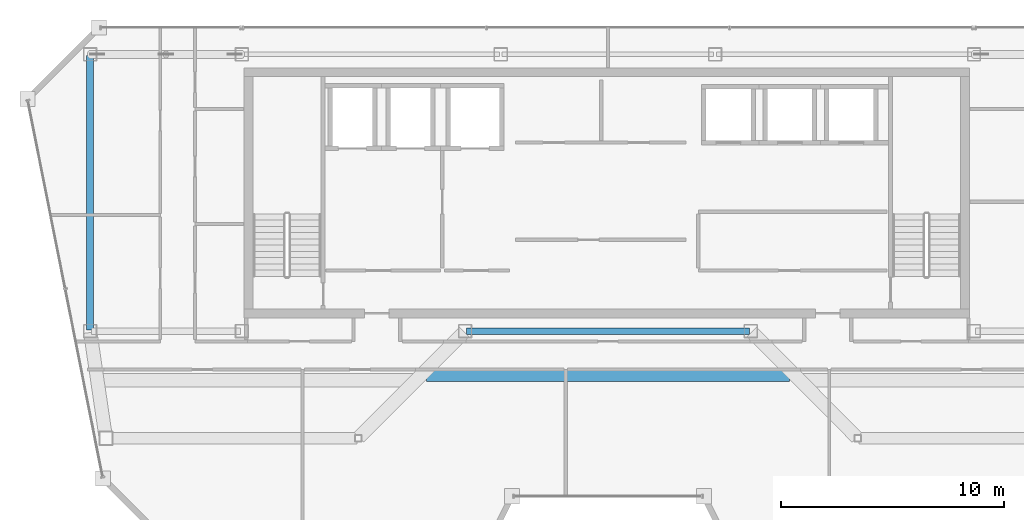
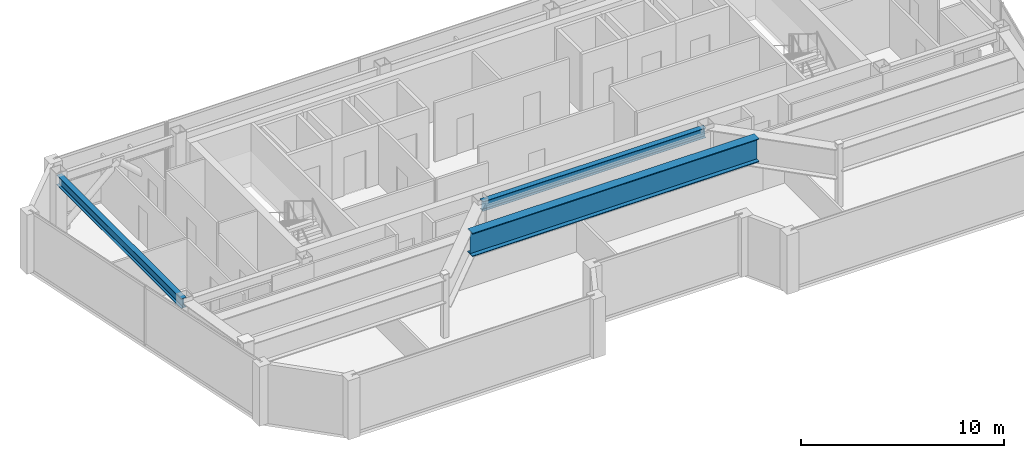
# One storey, part 8 of 24: 3 beams.
"""IFC4 building model written with IfcOpenShell, lengths in metres."""

import ifcopenshell
import ifcopenshell.guid

model = None  # the IFC model being written
_history = None  # IfcOwnerHistory: only IFC2X3 demands one
_inside = {}  # id of a spatial element -> (the spatial element, [elements in it])
_under = {}  # id of a project, library or spatial element -> (it, [spatial elements below it])
_declared = {}  # id of a project -> (the project, [libraries it declares])
_typed = {}  # id of a type object -> (the type object, [elements of that type])
_made_of = {}  # id of a material, layer set ... -> (it, [elements and type objects made of it])


def new_model(schema):
    """Start an empty IFC model of exactly this schema.

    Asked for "IFC4X3", IfcOpenShell would pick the latest addendum, in which some entities
    have other attributes; the version numbers below select the first issue.
    IFC2X3 requires an IfcOwnerHistory on every rooted entity: one is made here for all.
    """
    global model, _history
    if schema == "IFC4X3":
        model = ifcopenshell.file(schema_version=(4, 3, 0, 0))
    else:
        model = ifcopenshell.file(schema=schema)
    _inside.clear()
    _under.clear()
    _declared.clear()
    _typed.clear()
    _made_of.clear()
    _history = None
    if model.schema == "IFC2X3":
        org = make("IfcOrganization", Name="unknown")
        user = make(
            "IfcPersonAndOrganization",
            ThePerson=make("IfcPerson", FamilyName="unknown"),
            TheOrganization=org,
        )
        app = make(
            "IfcApplication",
            ApplicationDeveloper=org,
            Version="unknown",
            ApplicationFullName="unknown",
            ApplicationIdentifier="unknown",
        )
        _history = make(
            "IfcOwnerHistory",
            OwningUser=user,
            OwningApplication=app,
            ChangeAction="ADDED",
            CreationDate=0,
        )
    return model


def make(cls, **values):
    """One entity of the class cls with the attributes given. An attribute that is None is left unset."""
    return model.create_entity(
        cls, **{name: value for name, value in values.items() if value is not None}
    )


def rooted(cls, **values):
    """An entity with a GlobalId (a new one), such as an element, a storey or a relation."""
    return make(cls, GlobalId=ifcopenshell.guid.new(), OwnerHistory=_history, **values)


def si_unit(unit_type, name, prefix=None):
    """IfcSIUnit, for example si_unit("LENGTHUNIT", "METRE", prefix="MILLI")."""
    return make("IfcSIUnit", UnitType=unit_type, Prefix=prefix, Name=name)


def assignment(units):
    """IfcUnitAssignment: the units of a project."""
    return None if units is None else make("IfcUnitAssignment", Units=units)


def point(xyz):
    """IfcCartesianPoint."""
    return None if xyz is None else make("IfcCartesianPoint", Coordinates=xyz)


def direction(xyz):
    """IfcDirection."""
    return None if xyz is None else make("IfcDirection", DirectionRatios=xyz)


def frame(location, z_axis=None, x_axis=None):
    """IfcAxis2Placement3D, a coordinate frame: its origin and axes. An axis left out is left unset."""
    return make(
        "IfcAxis2Placement3D",
        Location=point(location),
        Axis=direction(z_axis),
        RefDirection=direction(x_axis),
    )


def frame_2d(location, x_axis=None):
    """IfcAxis2Placement2D, a coordinate frame in the plane: its origin and x axis."""
    return make(
        "IfcAxis2Placement2D", Location=point(location), RefDirection=direction(x_axis)
    )


def origin():
    """The frame at (0, 0, 0) with its axes left unset."""
    return frame((0.0, 0.0, 0.0))


def origin_2d():
    """The frame at (0, 0) in the plane with its x axis left unset."""
    return frame_2d((0.0, 0.0))


def place(relative_to, where):
    """IfcLocalPlacement: puts the frame where relative to a parent placement (None: the world)."""
    return make(
        "IfcLocalPlacement", PlacementRelTo=relative_to, RelativePlacement=where
    )


def context(
    kind, dimensions, precision=None, world=None, true_north=None, identifier=None
):
    """IfcGeometricRepresentationContext, for example the 3D "Model" context."""
    return make(
        "IfcGeometricRepresentationContext",
        ContextIdentifier=identifier,
        ContextType=kind,
        CoordinateSpaceDimension=dimensions,
        Precision=precision,
        WorldCoordinateSystem=world,
        TrueNorth=true_north,
    )


def subcontext(parent, identifier, kind, view, scale=None):
    """IfcGeometricRepresentationSubContext, for example "Body" below "Model"."""
    return make(
        "IfcGeometricRepresentationSubContext",
        ContextIdentifier=identifier,
        ContextType=kind,
        ParentContext=parent,
        TargetScale=scale,
        TargetView=view,
    )


def project(units=None, contexts=None):
    """IfcProject with its units and contexts."""
    return rooted(
        "IfcProject",
        Name="project",
        RepresentationContexts=contexts,
        UnitsInContext=assignment(units),
    )


def spatial(cls, under=None, at=None, **own):
    """A site, building, storey or space (cls), placed at a placement, below another one or the project."""
    s = rooted(cls, ObjectPlacement=at, **own)
    if under is not None:
        _under.setdefault(under.id(), (under, []))[1].append(s)
    return s


def profile(cls, at=None, kind="AREA", **sizes):
    """A parametric profile (cls). Its sizes go by their IFC names, for example OverallWidth=200.0."""
    return make(cls, ProfileType=kind, Position=at, **sizes)


def i_section(**sizes):
    """IfcIShapeProfileDef."""
    return profile("IfcIShapeProfileDef", **sizes)


def extrude(swept, where, along, depth):
    """IfcExtrudedAreaSolid: the profile swept, set in the frame where, extruded along a direction by depth."""
    return make(
        "IfcExtrudedAreaSolid",
        SweptArea=swept,
        Position=where,
        ExtrudedDirection=direction(along),
        Depth=depth,
    )


def shape(context_of_items, identifier, shape_type, items):
    """IfcShapeRepresentation: the items that make up one representation, for example the "Body"."""
    return make(
        "IfcShapeRepresentation",
        ContextOfItems=context_of_items,
        RepresentationIdentifier=identifier,
        RepresentationType=shape_type,
        Items=items,
    )


def material(Name=None, Category=None):
    """IfcMaterial."""
    return make("IfcMaterial", Name=Name, Category=Category)


def material_profile(
    of_material, cross_section, Name=None, Category=None, Priority=None
):
    """IfcMaterialProfile: a cross section and its material."""
    return make(
        "IfcMaterialProfile",
        Name=Name,
        Material=of_material,
        Profile=cross_section,
        Priority=Priority,
        Category=Category,
    )


def profile_set(profiles, Name=None, composite=None):
    """IfcMaterialProfileSet."""
    return make(
        "IfcMaterialProfileSet",
        Name=Name,
        MaterialProfiles=profiles,
        CompositeProfile=composite,
    )


def made_of(thing, what):
    """Note that an element or type object is made of a material, layer set ...; save() writes the relation."""
    if what is not None:
        _made_of.setdefault(what.id(), (what, []))[1].append(thing)
    return thing


def type_object(cls, material=None, **own):
    """A type object (cls), such as IfcWallType, which elements share."""
    return made_of(rooted(cls, **own), material)


def element(
    cls,
    number,
    at=None,
    inside=None,
    cuts=None,
    type_object=None,
    material=None,
    context=None,
    identifier="Body",
    shape_type=None,
    held_by="IfcProductDefinitionShape",
    body=None,
    shapes=None,
    **own,
):
    """One element of the class cls, such as IfcWall. Its Tag is "e" and its number.

    at: its placement. inside: the storey or other place that contains it. cuts: it is an
    opening in that element (IfcRelVoidsElement). A single representation is given by context,
    identifier, shape_type and body (its items); several are given by shapes. held_by: the class
    of the entity that holds the representations. save() writes the other relations.
    """
    e = rooted(cls, Tag="e%d" % number, ObjectPlacement=at, **own)
    if body is not None:
        shapes = [shape(context, identifier, shape_type, body)]
    if shapes is not None:
        e.Representation = make(held_by, Representations=shapes)
    if inside is not None:
        _inside.setdefault(inside.id(), (inside, []))[1].append(e)
    if cuts is not None:
        rooted(
            "IfcRelVoidsElement", RelatingBuildingElement=cuts, RelatedOpeningElement=e
        )
    if type_object is not None:
        _typed.setdefault(type_object.id(), (type_object, []))[1].append(e)
    return made_of(e, material)


def aggregate(whole, parts):
    """IfcRelAggregates: a whole, such as a stair, and the parts it consists of."""
    return rooted("IfcRelAggregates", RelatingObject=whole, RelatedObjects=parts)


def save(model, path):
    """Write the relations noted so far, then the file.

    IfcRelAggregates (storeys below a building ...), IfcRelContainedInSpatialStructure (elements
    in a storey), IfcRelDefinesByType, IfcRelAssociatesMaterial and IfcRelDeclares: one each for
    every whole, place, type object, material and project.
    """
    for whole, parts in _under.values():
        aggregate(whole, parts)
    for where, things in _inside.values():
        rooted(
            "IfcRelContainedInSpatialStructure",
            RelatedElements=things,
            RelatingStructure=where,
        )
    for kind, things in _typed.values():
        rooted("IfcRelDefinesByType", RelatedObjects=things, RelatingType=kind)
    for what, things in _made_of.values():
        rooted("IfcRelAssociatesMaterial", RelatedObjects=things, RelatingMaterial=what)
    for by, libraries in _declared.values():
        rooted("IfcRelDeclares", RelatingContext=by, RelatedDefinitions=libraries)
    model.write(path)


model = new_model("IFC4")

# Units and contexts
model_context = context("Model", 3, precision=1e-05, world=origin(), true_north=direction((0.0, 1.0)))
body_context = subcontext(model_context, "Body", "Model", "MODEL_VIEW")
ifc_project = project(units=[si_unit("LENGTHUNIT", "METRE"), si_unit("AREAUNIT", "SQUARE_METRE"), si_unit("VOLUMEUNIT", "CUBIC_METRE"), si_unit("PLANEANGLEUNIT", "RADIAN"), si_unit("MASSUNIT", "GRAM", prefix="KILO")], contexts=[model_context])

# Site, building, storey
site_placement = place(None, origin())
site = spatial("IfcSite", under=ifc_project, at=site_placement, CompositionType="ELEMENT")
building_placement = place(site_placement, origin())
building = spatial("IfcBuilding", under=site, at=building_placement, Name="Saevonmaru Cultural Tower", CompositionType="ELEMENT")
storey_placement = place(building_placement, frame((0.0, 0.0, 306.60009765625)))
storey = spatial("IfcBuildingStorey", under=building, at=storey_placement, Name="L73", CompositionType="ELEMENT", Elevation=306.60009765625)

# Beams
ifc_material_1 = material(Name="Steel SM355", Category="steel")
ifc_material_profile_1 = material_profile(ifc_material_1, i_section(OverallWidth=0.300048828125, OverallDepth=0.587890625, WebThickness=0.011962890625, FlangeThickness=0.02001953125, FilletRadius=0.02392578125, at=origin_2d()), Name="H-588x300x12x20")
ifc_profile_set_1 = profile_set([ifc_material_profile_1], Name="Steel SM355")
beam_type_1 = type_object("IfcBeamType", Name="BM-G-H588", PredefinedType="BEAM", material=ifc_profile_set_1)
beam_1_placement = place(storey_placement, frame((23.659912109375, 42.39990234375, 3.255859375), z_axis=(1.0, 0.0, 0.0), x_axis=(0.0, 1.0, 0.0)))
element("IfcBeam", 1, at=beam_1_placement, inside=storey, type_object=beam_type_1, Name="L73 Core South Girder 3", PredefinedType="BEAM", context=body_context, shape_type="SweptSolid", body=[
    extrude(i_section(OverallWidth=0.300048828125, OverallDepth=0.587890625, WebThickness=0.011962890625, FlangeThickness=0.02001953125, FilletRadius=0.02392578125, at=origin_2d()), origin(), (0.0, 0.0, 1.0), 12.68017578125),
])
beam_2_placement = place(storey_placement, frame((6.800048828125, 54.739990234375, 3.255859375), z_axis=(0.0, -1.0, 0.0), x_axis=(1.0, 0.0, 0.0)))
element("IfcBeam", 2, at=beam_2_placement, inside=storey, type_object=beam_type_1, Name="L73 Spine Transverse Girder W", PredefinedType="BEAM", context=body_context, shape_type="SweptSolid", body=[
    extrude(i_section(OverallWidth=0.300048828125, OverallDepth=0.587890625, WebThickness=0.011962890625, FlangeThickness=0.02001953125, FilletRadius=0.02392578125, at=origin_2d()), origin(), (0.0, 0.0, 1.0), 12.280029296875),
])
ifc_material_2 = material(Name="Steel HSA600 (600 MPa)", Category="steel")
ifc_material_profile_2 = material_profile(ifc_material_2, i_section(OverallWidth=0.5, OverallDepth=1.39990234375, WebThickness=0.02392578125, FlangeThickness=0.044921875, at=origin_2d()), Name="PG-1400x500x24x45")
ifc_profile_set_2 = profile_set([ifc_material_profile_2], Name="Steel HSA600 (600 MPa)")
beam_type_2 = type_object("IfcBeamType", Name="BM-TG-PG1400", PredefinedType="BEAM", material=ifc_profile_set_2)
beam_3_placement = place(storey_placement, frame((21.861328125, 40.39990234375, 2.849853515625), z_axis=(1.0, 0.0, 0.0), x_axis=(0.0, 1.0, 0.0)))
element("IfcBeam", 3, at=beam_3_placement, inside=storey, type_object=beam_type_2, Name="L73 Central Link Girder", PredefinedType="BEAM", context=body_context, shape_type="SweptSolid", body=[
    extrude(i_section(OverallWidth=0.5, OverallDepth=1.39990234375, WebThickness=0.02392578125, FlangeThickness=0.044921875, at=origin_2d()), origin(), (0.0, 0.0, 1.0), 16.27734375),
])

save(model, "model.ifc")
